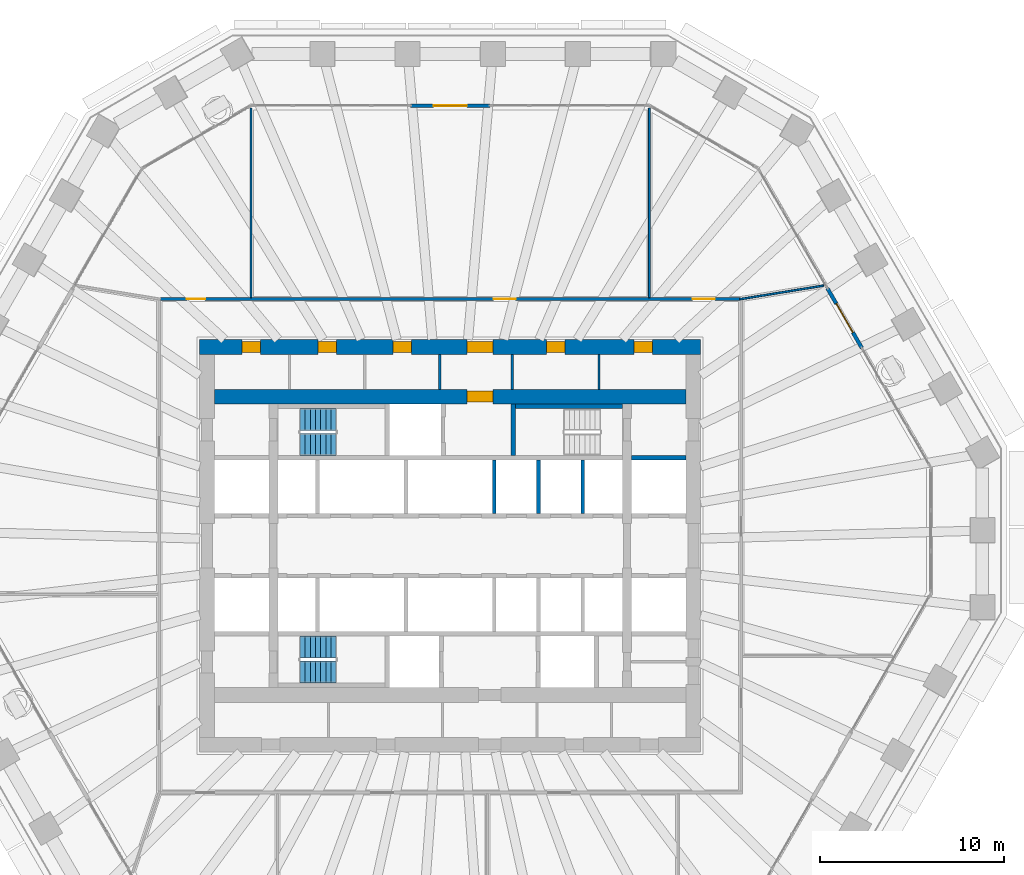
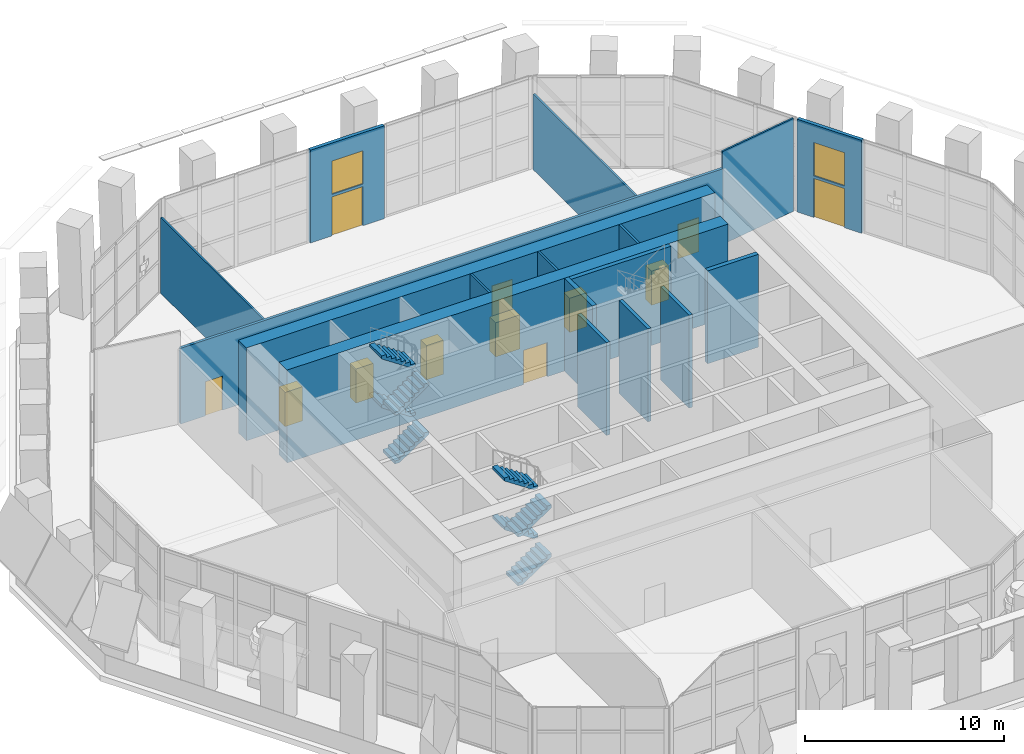
# One storey, part 16 of 22: 17 walls, 12 doors, 8 stair flights, 2 windows, 14 openings, 2 elements without a shape of their own.
"""IFC4 building model written with IfcOpenShell, lengths in metres."""

from ifc_helpers import new_model, si_unit, direction, frame, frame_2d, origin, place, context, subcontext, project, spatial, polyline, rectangle, outline, extrude, material, layer, layer_set, type_object, element, fill, aggregate, save


model = new_model("IFC4")

# Units and contexts
model_context = context("Model", 3, precision=1e-05, world=origin(), true_north=direction((0.0, 1.0)))
body_context = subcontext(model_context, "Body", "Model", "MODEL_VIEW")
ifc_project = project(units=[si_unit("LENGTHUNIT", "METRE"), si_unit("AREAUNIT", "SQUARE_METRE"), si_unit("VOLUMEUNIT", "CUBIC_METRE"), si_unit("PLANEANGLEUNIT", "RADIAN"), si_unit("MASSUNIT", "GRAM", prefix="KILO")], contexts=[model_context])

# Site, building, storey
site_placement = place(None, origin())
site = spatial("IfcSite", under=ifc_project, at=site_placement, CompositionType="ELEMENT")
building_placement = place(site_placement, origin())
building = spatial("IfcBuilding", under=site, at=building_placement, Name="Frailejon Research Tower", CompositionType="ELEMENT")
storey_placement = place(building_placement, frame((0.0, 0.0, 107.199951171875)))
storey = spatial("IfcBuildingStorey", under=building, at=storey_placement, Name="L23", CompositionType="ELEMENT", Elevation=107.199951171875)

# Walls
ifc_material_1 = material(Name="Plasterboard on steel studs", Category="steel")
ifc_layer_1 = layer(ifc_material_1, 0.125)
ifc_layer_set_1 = layer_set([ifc_layer_1], Name="Core partition 125")
wall_type_1 = type_object("IfcWallType", Name="Core partition 125", PredefinedType="PARTITIONING", material=ifc_layer_set_1)
for number, where, z_axis, x_axis, name in (
    (1, (-0.5625, 8.5, 0.0), (0.0, 0.0, 1.0), (0.0, 1.0, 0.0), "Core partition"),
    (2, (3.362548828125, 8.5, 0.0), (0.0, 0.0, 1.0), (0.0, 1.0, 0.0), "Core partition"),
    (3, (8.081298828125, 8.5, 0.0), (0.0, 0.0, 1.0), (0.0, 1.0, 0.0), "Core partition"),
):
    element("IfcWall", number, at=place(storey_placement, frame(where, z_axis=z_axis, x_axis=x_axis)), inside=storey, type_object=wall_type_1, Name=name, PredefinedType="PARTITIONING", context=body_context, shape_type="SweptSolid", body=[
        extrude(rectangle(XDim=1.89990234375, YDim=0.125, at=frame_2d((0.949951171875, 0.0))), origin(), (0.0, 0.0, 1.0), 5.699951171875),
    ])

# Wall, openings, doors
ifc_material_2 = material(Name="Concrete C70/85", Category="concrete")
ifc_layer_2 = layer(ifc_material_2, 0.800048828125)
ifc_layer_set_2 = layer_set([ifc_layer_2], Name="Core shear wall 800 C70/85")
wall_type_2 = type_object("IfcWallType", Name="Core shear wall 800 C70/85", PredefinedType="SHEAR", material=ifc_layer_set_2)
wall_1_placement = place(storey_placement, frame((-13.60009765625, 10.800048828125, 0.0), z_axis=(0.0, 0.0, 1.0), x_axis=(1.0, 0.0, 0.0)))
wall_1 = element("IfcWall", 4, at=wall_1_placement, inside=storey, type_object=wall_type_2, Name="Core shear wall", PredefinedType="SHEAR", context=body_context, shape_type="SweptSolid", body=[
    extrude(rectangle(XDim=27.2001953125, YDim=0.800048828125, at=frame_2d((13.60009765625, 0.0))), origin(), (0.0, 0.0, 1.0), 5.699951171875),
])
opening_1_placement = place(wall_1_placement, frame((2.308349609375, 0.0, 0.0)))
opening_1 = element("IfcOpeningElement", 5, at=opening_1_placement, cuts=wall_1, Name="Opening D4", PredefinedType="OPENING", context=body_context, shape_type="SweptSolid", body=[
    extrude(rectangle(XDim=1.0, YDim=2.10009765625, at=frame_2d((0.5, 1.050048828125))), frame((0.0, 0.409912109375, 0.0), z_axis=(0.0, -1.0, 0.0), x_axis=(1.0, 0.0, 0.0)), (0.0, 0.0, 1.0), 0.820068359375),
])
opening_2_placement = place(wall_1_placement, frame((6.418701171875, 0.0, 0.0)))
opening_2 = element("IfcOpeningElement", 6, at=opening_2_placement, cuts=wall_1, Name="Opening D4", PredefinedType="OPENING", context=body_context, shape_type="SweptSolid", body=[
    extrude(rectangle(XDim=1.0, YDim=2.10009765625, at=frame_2d((0.5, 1.050048828125))), frame((0.0, 0.409912109375, 0.0), z_axis=(0.0, -1.0, 0.0), x_axis=(1.0, 0.0, 0.0)), (0.0, 0.0, 1.0), 0.820068359375),
])
opening_3_placement = place(wall_1_placement, frame((10.497802734375, 0.0, 0.0)))
opening_3 = element("IfcOpeningElement", 7, at=opening_3_placement, cuts=wall_1, Name="Opening D4", PredefinedType="OPENING", context=body_context, shape_type="SweptSolid", body=[
    extrude(rectangle(XDim=1.0, YDim=2.10009765625, at=frame_2d((0.5, 1.050048828125))), frame((0.0, 0.409912109375, 0.0), z_axis=(0.0, -1.0, 0.0), x_axis=(1.0, 0.0, 0.0)), (0.0, 0.0, 1.0), 0.820068359375),
])
opening_4_placement = place(wall_1_placement, frame((18.822021484375, 0.0, 0.0)))
opening_4 = element("IfcOpeningElement", 8, at=opening_4_placement, cuts=wall_1, Name="Opening D4", PredefinedType="OPENING", context=body_context, shape_type="SweptSolid", body=[
    extrude(rectangle(XDim=1.0, YDim=2.10009765625, at=frame_2d((0.5, 1.050048828125))), frame((0.0, 0.409912109375, 0.0), z_axis=(0.0, -1.0, 0.0), x_axis=(1.0, 0.0, 0.0)), (0.0, 0.0, 1.0), 0.820068359375),
])
opening_5_placement = place(wall_1_placement, frame((23.572021484375, 0.0, 0.0)))
opening_5 = element("IfcOpeningElement", 9, at=opening_5_placement, cuts=wall_1, Name="Opening D4", PredefinedType="OPENING", context=body_context, shape_type="SweptSolid", body=[
    extrude(rectangle(XDim=1.0, YDim=2.10009765625, at=frame_2d((0.5, 1.050048828125))), frame((0.0, 0.409912109375, 0.0), z_axis=(0.0, -1.0, 0.0), x_axis=(1.0, 0.0, 0.0)), (0.0, 0.0, 1.0), 0.820068359375),
])
opening_6_placement = place(wall_1_placement, frame((14.52490234375, 0.0, 0.0)))
opening_6 = element("IfcOpeningElement", 10, at=opening_6_placement, cuts=wall_1, Name="Opening D9", PredefinedType="OPENING", context=body_context, shape_type="SweptSolid", body=[
    extrude(rectangle(XDim=1.39990234375, YDim=2.10009765625, at=frame_2d((0.699951171875, 1.050048828125))), frame((0.0, 0.409912109375, 0.0), z_axis=(0.0, -1.0, 0.0), x_axis=(1.0, 0.0, 0.0)), (0.0, 0.0, 1.0), 0.820068359375),
])
ifc_material_3 = material(Name="Steel", Category="steel")
door_type_1 = type_object("IfcDoorType", Name="Goods lobby door", OperationType="DOUBLE_DOOR_SINGLE_SWING", PredefinedType="DOOR", material=ifc_material_3)
door_1_placement = place(opening_6_placement, origin())
door_1 = element("IfcDoor", 11, at=door_1_placement, inside=storey, type_object=door_type_1, Name="Passage door", OperationType="DOUBLE_DOOR_SINGLE_SWING", OverallHeight=2.10009765625, OverallWidth=1.39990234375, PredefinedType="DOOR", context=body_context, shape_type="SweptSolid", body=[
    extrude(rectangle(XDim=1.39990234375, YDim=2.10009765625, at=frame_2d((0.699951171875, 1.050048828125))), frame((0.0, 0.300048828125, 0.0), z_axis=(0.0, -1.0, 0.0), x_axis=(1.0, 0.0, 0.0)), (0.0, 0.0, 1.0), 0.60009765625),
])
fill(opening_6, door_1)
ifc_material_4 = material(Name="Steel", Category="steel")
door_type_2 = type_object("IfcDoorType", Name="Service door", OperationType="SINGLE_SWING_LEFT", PredefinedType="DOOR", material=ifc_material_4)
door_2_placement = place(opening_1_placement, origin())
door_2 = element("IfcDoor", 12, at=door_2_placement, inside=storey, type_object=door_type_2, Name="Room door", OperationType="SINGLE_SWING_LEFT", OverallHeight=2.10009765625, OverallWidth=1.0, PredefinedType="DOOR", context=body_context, shape_type="SweptSolid", body=[
    extrude(rectangle(XDim=1.0, YDim=2.10009765625, at=frame_2d((0.5, 1.050048828125))), frame((0.0, 0.300048828125, 0.0), z_axis=(0.0, -1.0, 0.0), x_axis=(1.0, 0.0, 0.0)), (0.0, 0.0, 1.0), 0.60009765625),
])
fill(opening_1, door_2)
door_3_placement = place(opening_2_placement, origin())
door_3 = element("IfcDoor", 13, at=door_3_placement, inside=storey, type_object=door_type_2, Name="Room door", OperationType="SINGLE_SWING_RIGHT", OverallHeight=2.10009765625, OverallWidth=1.0, PredefinedType="DOOR", context=body_context, shape_type="SweptSolid", body=[
    extrude(rectangle(XDim=1.0, YDim=2.10009765625, at=frame_2d((0.5, 1.050048828125))), frame((0.0, 0.300048828125, 0.0), z_axis=(0.0, -1.0, 0.0), x_axis=(1.0, 0.0, 0.0)), (0.0, 0.0, 1.0), 0.60009765625),
])
fill(opening_2, door_3)
door_4_placement = place(opening_3_placement, origin())
door_4 = element("IfcDoor", 14, at=door_4_placement, inside=storey, type_object=door_type_2, Name="Room door", OperationType="SINGLE_SWING_LEFT", OverallHeight=2.10009765625, OverallWidth=1.0, PredefinedType="DOOR", context=body_context, shape_type="SweptSolid", body=[
    extrude(rectangle(XDim=1.0, YDim=2.10009765625, at=frame_2d((0.5, 1.050048828125))), frame((0.0, 0.300048828125, 0.0), z_axis=(0.0, -1.0, 0.0), x_axis=(1.0, 0.0, 0.0)), (0.0, 0.0, 1.0), 0.60009765625),
])
fill(opening_3, door_4)
door_5_placement = place(opening_4_placement, origin())
door_5 = element("IfcDoor", 15, at=door_5_placement, inside=storey, type_object=door_type_2, Name="Room door", OperationType="SINGLE_SWING_RIGHT", OverallHeight=2.10009765625, OverallWidth=1.0, PredefinedType="DOOR", context=body_context, shape_type="SweptSolid", body=[
    extrude(rectangle(XDim=1.0, YDim=2.10009765625, at=frame_2d((0.5, 1.050048828125))), frame((0.0, 0.300048828125, 0.0), z_axis=(0.0, -1.0, 0.0), x_axis=(1.0, 0.0, 0.0)), (0.0, 0.0, 1.0), 0.60009765625),
])
fill(opening_4, door_5)
door_6_placement = place(opening_5_placement, origin())
door_6 = element("IfcDoor", 16, at=door_6_placement, inside=storey, type_object=door_type_2, Name="Room door", OperationType="SINGLE_SWING_LEFT", OverallHeight=2.10009765625, OverallWidth=1.0, PredefinedType="DOOR", context=body_context, shape_type="SweptSolid", body=[
    extrude(rectangle(XDim=1.0, YDim=2.10009765625, at=frame_2d((0.5, 1.050048828125))), frame((0.0, 0.300048828125, 0.0), z_axis=(0.0, -1.0, 0.0), x_axis=(1.0, 0.0, 0.0)), (0.0, 0.0, 1.0), 0.60009765625),
])
fill(opening_5, door_6)

# Wall, opening, door
wall_2_placement = place(storey_placement, frame((-12.800048828125, 8.10009765625, 0.0), z_axis=(0.0, 0.0, 1.0), x_axis=(1.0, 0.0, 0.0)))
wall_2 = element("IfcWall", 17, at=wall_2_placement, inside=storey, type_object=wall_type_2, Name="Core shear wall", PredefinedType="SHEAR", context=body_context, shape_type="SweptSolid", body=[
    extrude(rectangle(XDim=25.60009765625, YDim=0.800048828125, at=frame_2d((12.800048828125, 0.0))), origin(), (0.0, 0.0, 1.0), 5.699951171875),
])
opening_7_placement = place(wall_2_placement, frame((13.72509765625, 0.0, 0.0)))
opening_7 = element("IfcOpeningElement", 18, at=opening_7_placement, cuts=wall_2, Name="Opening D9", PredefinedType="OPENING", context=body_context, shape_type="SweptSolid", body=[
    extrude(rectangle(XDim=1.39990234375, YDim=2.10009765625, at=frame_2d((0.699951171875, 1.050048828125))), frame((0.0, 0.409912109375, 0.0), z_axis=(0.0, -1.0, 0.0), x_axis=(1.0, 0.0, 0.0)), (0.0, 0.0, 1.0), 0.820068359375),
])
door_7_placement = place(opening_7_placement, origin())
door_7 = element("IfcDoor", 19, at=door_7_placement, inside=storey, type_object=door_type_1, Name="Goods lobby door", OperationType="DOUBLE_DOOR_SINGLE_SWING", OverallHeight=2.10009765625, OverallWidth=1.39990234375, PredefinedType="DOOR", context=body_context, shape_type="SweptSolid", body=[
    extrude(rectangle(XDim=1.39990234375, YDim=2.10009765625, at=frame_2d((0.699951171875, 1.050048828125))), frame((0.0, 0.300048828125, 0.0), z_axis=(0.0, -1.0, 0.0), x_axis=(1.0, 0.0, 0.0)), (0.0, 0.0, 1.0), 0.60009765625),
])
fill(opening_7, door_7)

# Wall, openings, doors
ifc_material_5 = material(Name="Gypsum board and masonry partition", Category="masonry")
ifc_layer_3 = layer(ifc_material_5, 0.14990234375)
ifc_layer_set_3 = layer_set([ifc_layer_3], Name="Corridor wall EI 60, gypsum on steel studs 150")
wall_type_3 = type_object("IfcWallType", Name="Corridor wall EI 60, gypsum on steel studs 150", PredefinedType="PARTITIONING", material=ifc_layer_set_3)
wall_3_placement = place(storey_placement, frame((-15.72509765625, 13.39990234375, 0.0), z_axis=(0.0, 0.0, 1.0), x_axis=(1.0, 0.0, 0.0)))
wall_3 = element("IfcWall", 20, at=wall_3_placement, inside=storey, type_object=wall_type_3, Name="T:IW:L23:002", PredefinedType="PARTITIONING", context=body_context, shape_type="SweptSolid", body=[
    extrude(rectangle(XDim=31.47509765625, YDim=0.14990234375, at=frame_2d((15.737548828125, 0.0))), origin(), (0.0, 0.0, 1.0), 4.650146484375),
])
opening_8_placement = place(wall_3_placement, frame((28.89501953125, 0.0, 0.0)))
opening_8 = element("IfcOpeningElement", 21, at=opening_8_placement, cuts=wall_3, Name="Opening D1100", PredefinedType="OPENING", context=body_context, shape_type="SweptSolid", body=[
    extrude(rectangle(XDim=1.199951171875, YDim=2.10009765625, at=frame_2d((0.60009765625, 1.050048828125))), frame((0.0, 0.0849609375, 0.0), z_axis=(0.0, -1.0, 0.0), x_axis=(1.0, 0.0, 0.0)), (0.0, 0.0, 1.0), 0.169921875),
])
opening_9_placement = place(wall_3_placement, frame((18.084228515625, 0.0, 0.0)))
opening_9 = element("IfcOpeningElement", 22, at=opening_9_placement, cuts=wall_3, Name="Opening D1101", PredefinedType="OPENING", context=body_context, shape_type="SweptSolid", body=[
    extrude(rectangle(XDim=1.199951171875, YDim=2.10009765625, at=frame_2d((0.60009765625, 1.050048828125))), frame((0.0, 0.0849609375, 0.0), z_axis=(0.0, -1.0, 0.0), x_axis=(1.0, 0.0, 0.0)), (0.0, 0.0, 1.0), 0.169921875),
])
opening_10_placement = place(wall_3_placement, frame((1.425048828125, 0.0, 0.0)))
opening_10 = element("IfcOpeningElement", 23, at=opening_10_placement, cuts=wall_3, Name="Opening D1102", PredefinedType="OPENING", context=body_context, shape_type="SweptSolid", body=[
    extrude(rectangle(XDim=1.0, YDim=2.10009765625, at=frame_2d((0.5, 1.050048828125))), frame((0.0, 0.0849609375, 0.0), z_axis=(0.0, -1.0, 0.0), x_axis=(1.0, 0.0, 0.0)), (0.0, 0.0, 1.0), 0.169921875),
])
ifc_material_6 = material(Name="Timber door leaf", Category="wood")
door_type_3 = type_object("IfcDoorType", Name="Door single leaf, timber, steel frame 1000", OperationType="NOTDEFINED", PredefinedType="DOOR", material=ifc_material_6)
door_8_placement = place(opening_10_placement, origin())
door_8 = element("IfcDoor", 24, at=door_8_placement, inside=storey, type_object=door_type_3, Name="D1102", OperationType="SINGLE_SWING_RIGHT", OverallHeight=2.10009765625, OverallWidth=1.0, PredefinedType="DOOR", context=body_context, shape_type="SweptSolid", body=[
    extrude(rectangle(XDim=1.0, YDim=2.10009765625, at=frame_2d((0.5, 1.050048828125))), frame((0.0, 0.02490234375, 0.0), z_axis=(0.0, -1.0, 0.0), x_axis=(1.0, 0.0, 0.0)), (0.0, 0.0, 1.0), 0.050048828125),
])
fill(opening_10, door_8)
ifc_material_7 = material(Name="Timber door leaf", Category="wood")
door_type_4 = type_object("IfcDoorType", Name="Door single leaf, timber, steel frame 1200", OperationType="NOTDEFINED", PredefinedType="DOOR", material=ifc_material_7)
door_9_placement = place(opening_8_placement, origin())
door_9 = element("IfcDoor", 25, at=door_9_placement, inside=storey, type_object=door_type_4, Name="D1100", OperationType="DOUBLE_DOOR_SINGLE_SWING", OverallHeight=2.10009765625, OverallWidth=1.199951171875, PredefinedType="DOOR", context=body_context, shape_type="SweptSolid", body=[
    extrude(rectangle(XDim=1.199951171875, YDim=2.10009765625, at=frame_2d((0.60009765625, 1.050048828125))), frame((0.0, 0.02490234375, 0.0), z_axis=(0.0, -1.0, 0.0), x_axis=(1.0, 0.0, 0.0)), (0.0, 0.0, 1.0), 0.050048828125),
])
fill(opening_8, door_9)
door_10_placement = place(opening_9_placement, origin())
door_10 = element("IfcDoor", 26, at=door_10_placement, inside=storey, type_object=door_type_4, Name="D1101", OperationType="DOUBLE_DOOR_SINGLE_SWING", OverallHeight=2.10009765625, OverallWidth=1.199951171875, PredefinedType="DOOR", context=body_context, shape_type="SweptSolid", body=[
    extrude(rectangle(XDim=1.199951171875, YDim=2.10009765625, at=frame_2d((0.60009765625, 1.050048828125))), frame((0.0, 0.02490234375, 0.0), z_axis=(0.0, -1.0, 0.0), x_axis=(1.0, 0.0, 0.0)), (0.0, 0.0, 1.0), 0.050048828125),
])
fill(opening_9, door_10)

# Walls
ifc_material_8 = material(Name="Gypsum board and masonry partition", Category="masonry")
ifc_layer_4 = layer(ifc_material_8, 0.10009765625)
ifc_layer_set_4 = layer_set([ifc_layer_4], Name="Partition, gypsum on steel studs 100")
wall_type_4 = type_object("IfcWallType", Name="Partition, gypsum on steel studs 100", PredefinedType="PARTITIONING", material=ifc_layer_set_4)
wall_4_placement = place(storey_placement, frame((15.72607421875, 13.387939453125, 0.0), z_axis=(0.0, 0.0, 1.0), x_axis=(0.986997514781, 0.160735515107, 0.0)))
element("IfcWall", 27, at=wall_4_placement, inside=storey, type_object=wall_type_4, Name="T:IW:L23:005", PredefinedType="PARTITIONING", context=body_context, shape_type="SweptSolid", body=[
    extrude(rectangle(XDim=4.615966796875, YDim=0.10009765625, at=frame_2d((2.30810546875, 0.0))), origin(), (0.0, 0.0, 1.0), 5.699951171875),
])
for number, where, z_axis, x_axis, name in (
    (28, (10.814453125, 13.47509765625, 0.0), (0.0, 0.0, 1.0), (0.0, 1.0, 0.0), "T:IW:L23:007"),
    (29, (-10.814453125, 13.47509765625, 0.0), (0.0, 0.0, 1.0), (0.0, 1.0, 0.0), "T:IW:L23:008"),
):
    element("IfcWall", number, at=place(storey_placement, frame(where, z_axis=z_axis, x_axis=x_axis)), inside=storey, type_object=wall_type_4, Name=name, PredefinedType="PARTITIONING", context=body_context, shape_type="SweptSolid", body=[
        extrude(rectangle(XDim=10.2939453125, YDim=0.10009765625, at=frame_2d((5.14697265625, 0.0))), origin(), (0.0, 0.0, 1.0), 4.650146484375),
    ])
ifc_material_9 = material(Name="Concrete C70/85", Category="concrete")
ifc_layer_5 = layer(ifc_material_9, 0.199951171875)
ifc_layer_set_5 = layer_set([ifc_layer_5], Name="Shaft wall 200 C70/85")
wall_type_5 = type_object("IfcWallType", Name="Shaft wall 200 C70/85", PredefinedType="SOLIDWALL", material=ifc_layer_set_5)
for number, where, z_axis, x_axis, name in (
    (30, (2.39990234375, 1.75, 0.0), (0.0, 0.0, 1.0), (0.0, 1.0, 0.0), "Shaft wall"),
    (31, (4.800048828125, 1.75, 0.0), (0.0, 0.0, 1.0), (0.0, 1.0, 0.0), "Shaft wall"),
    (32, (7.199951171875, 1.75, 0.0), (0.0, 0.0, 1.0), (0.0, 1.0, 0.0), "Shaft wall"),
):
    element("IfcWall", number, at=place(storey_placement, frame(where, z_axis=z_axis, x_axis=x_axis)), inside=storey, type_object=wall_type_5, Name=name, PredefinedType="SOLIDWALL", context=body_context, shape_type="SweptSolid", body=[
        extrude(rectangle(XDim=2.89990234375, YDim=0.199951171875, at=frame_2d((1.449951171875, 0.0))), origin(), (0.0, 0.0, 1.0), 5.699951171875),
    ])
ifc_material_10 = material(Name="Concrete C70/85", Category="concrete")
ifc_layer_6 = layer(ifc_material_10, 0.25)
ifc_layer_set_6 = layer_set([ifc_layer_6], Name="Shaft wall 250 C70/85")
wall_type_6 = type_object("IfcWallType", Name="Shaft wall 250 C70/85", PredefinedType="SOLIDWALL", material=ifc_layer_set_6)
wall_5_placement = place(storey_placement, frame((9.85009765625, 4.77490234375, 0.0), z_axis=(0.0, 0.0, 1.0), x_axis=(1.0, 0.0, 0.0)))
element("IfcWall", 33, at=wall_5_placement, inside=storey, type_object=wall_type_6, Name="Shaft wall", PredefinedType="SOLIDWALL", context=body_context, shape_type="SweptSolid", body=[
    extrude(rectangle(XDim=2.949951171875, YDim=0.25, at=frame_2d((1.47509765625, 0.0))), origin(), (0.0, 0.0, 1.0), 5.699951171875),
])
wall_6_placement = place(storey_placement, frame((3.550048828125, 7.574951171875, 0.0), z_axis=(0.0, 0.0, 1.0), x_axis=(1.0, 0.0, 0.0)))
element("IfcWall", 34, at=wall_6_placement, inside=storey, type_object=wall_type_6, Name="Shaft wall", PredefinedType="SOLIDWALL", context=body_context, shape_type="SweptSolid", body=[
    extrude(rectangle(XDim=5.800048828125, YDim=0.25, at=frame_2d((2.89990234375, 0.0))), origin(), (0.0, 0.0, 1.0), 5.699951171875),
])
wall_7_placement = place(storey_placement, frame((3.425048828125, 4.89990234375, 0.0), z_axis=(0.0, 0.0, 1.0), x_axis=(0.0, 1.0, 0.0)))
element("IfcWall", 35, at=wall_7_placement, inside=storey, type_object=wall_type_6, Name="Shaft wall", PredefinedType="SOLIDWALL", context=body_context, shape_type="SweptSolid", body=[
    extrude(rectangle(XDim=2.800048828125, YDim=0.25, at=frame_2d((1.39990234375, 0.0))), origin(), (0.0, 0.0, 1.0), 5.699951171875),
])

# Wall, openings, door, window
ifc_material_11 = material(Name="Concrete C40/50 precast window wall panel", Category="concrete")
ifc_layer_7 = layer(ifc_material_11, 0.199951171875)
ifc_layer_set_7 = layer_set([ifc_layer_7], Name="Window wall 200")
wall_type_7 = type_object("IfcWallType", Name="Window wall 200", PredefinedType="SOLIDWALL", material=ifc_layer_set_7)
wall_8_placement = place(storey_placement, frame((22.3515625, 10.745361328125, 0.0), z_axis=(0.0, 0.0, 1.0), x_axis=(-0.500014392251, 0.866017094255, 0.0)))
wall_8 = element("IfcWall", 36, at=wall_8_placement, inside=storey, type_object=wall_type_7, Name="Door pier L23", PredefinedType="SOLIDWALL", context=body_context, shape_type="SweptSolid", body=[
    extrude(rectangle(XDim=3.740234375, YDim=0.199951171875, at=frame_2d((1.8701171875, 0.0))), origin(), (0.0, 0.0, 1.0), 5.699951171875),
])
opening_11_placement = place(wall_8_placement, frame((0.97021484375, 0.0, 0.0)))
opening_11 = element("IfcOpeningElement", 37, at=opening_11_placement, cuts=wall_8, Name="Opening LG23-1", PredefinedType="OPENING", context=body_context, shape_type="SweptSolid", body=[
    extrude(rectangle(XDim=1.800048828125, YDim=2.39990234375, at=frame_2d((0.89990234375, 1.199951171875))), frame((0.0, 0.10986328125, 0.0), z_axis=(0.0, -1.0, 0.0), x_axis=(1.0, 0.0, 0.0)), (0.0, 0.0, 1.0), 0.219970703125),
])
opening_12_placement = place(wall_8_placement, frame((0.97021484375, 0.0, 2.550048828125)))
opening_12 = element("IfcOpeningElement", 38, at=opening_12_placement, cuts=wall_8, Name="Opening W15", PredefinedType="OPENING", context=body_context, shape_type="SweptSolid", body=[
    extrude(rectangle(XDim=1.800048828125, YDim=2.050048828125, at=frame_2d((0.89990234375, 1.02490234375))), frame((0.0, 0.10986328125, 0.0), z_axis=(0.0, -1.0, 0.0), x_axis=(1.0, 0.0, 0.0)), (0.0, 0.0, 1.0), 0.219970703125),
])
ifc_material_12 = material(Name="Aluminium framed glazed door leaf", Category="aluminium")
door_type_5 = type_object("IfcDoorType", Name="Loggia door 1800x2400", OperationType="DOUBLE_DOOR_SINGLE_SWING", PredefinedType="DOOR", material=ifc_material_12)
door_11_placement = place(opening_11_placement, origin())
door_11 = element("IfcDoor", 39, at=door_11_placement, inside=storey, type_object=door_type_5, Name="Door LG23-1", OperationType="DOUBLE_DOOR_SINGLE_SWING", OverallHeight=2.39990234375, OverallWidth=1.800048828125, PredefinedType="DOOR", context=body_context, shape_type="SweptSolid", body=[
    extrude(rectangle(XDim=1.800048828125, YDim=2.39990234375, at=frame_2d((0.89990234375, 1.199951171875))), frame((0.0, 0.02490234375, 0.0), z_axis=(0.0, -1.0, 0.0), x_axis=(1.0, 0.0, 0.0)), (0.0, 0.0, 1.0), 0.050048828125),
])
fill(opening_11, door_11)
ifc_material_13 = material(Name="Aluminium framed double glazing", Category="aluminium")
window_type = type_object("IfcWindowType", Name="Window 1800x2050", PartitioningType="SINGLE_PANEL", PredefinedType="WINDOW", material=ifc_material_13)
window_1_placement = place(opening_12_placement, origin())
window_1 = element("IfcWindow", 40, at=window_1_placement, inside=storey, type_object=window_type, Name="Window L23", OverallHeight=2.050048828125, OverallWidth=1.800048828125, PartitioningType="SINGLE_PANEL", PredefinedType="WINDOW", context=body_context, shape_type="SweptSolid", body=[
    extrude(rectangle(XDim=1.800048828125, YDim=2.050048828125, at=frame_2d((0.89990234375, 1.02490234375))), frame((0.0, 0.030029296875, 0.0), z_axis=(0.0, -1.0, 0.0), x_axis=(1.0, 0.0, 0.0)), (0.0, 0.0, 1.0), 0.06005859375),
])
fill(opening_12, window_1)

wall_9_placement = place(storey_placement, frame((2.157470703125, 23.89990234375, 0.0), z_axis=(0.0, 0.0, 1.0), x_axis=(-1.0, 0.0, 0.0)))
wall_9 = element("IfcWall", 41, at=wall_9_placement, inside=storey, type_object=wall_type_7, Name="Door pier L23", PredefinedType="SOLIDWALL", context=body_context, shape_type="SweptSolid", body=[
    extrude(rectangle(XDim=4.31494140625, YDim=0.199951171875, at=frame_2d((2.157470703125, 0.0))), origin(), (0.0, 0.0, 1.0), 5.699951171875),
])
opening_13_placement = place(wall_9_placement, frame((1.257568359375, 0.0, 0.0)))
opening_13 = element("IfcOpeningElement", 42, at=opening_13_placement, cuts=wall_9, Name="Opening LG23-2", PredefinedType="OPENING", context=body_context, shape_type="SweptSolid", body=[
    extrude(rectangle(XDim=1.800048828125, YDim=2.39990234375, at=frame_2d((0.89990234375, 1.199951171875))), frame((0.0, 0.10986328125, 0.0), z_axis=(0.0, -1.0, 0.0), x_axis=(1.0, 0.0, 0.0)), (0.0, 0.0, 1.0), 0.219970703125),
])
opening_14_placement = place(wall_9_placement, frame((1.257568359375, 0.0, 2.550048828125)))
opening_14 = element("IfcOpeningElement", 43, at=opening_14_placement, cuts=wall_9, Name="Opening W15", PredefinedType="OPENING", context=body_context, shape_type="SweptSolid", body=[
    extrude(rectangle(XDim=1.800048828125, YDim=2.050048828125, at=frame_2d((0.89990234375, 1.02490234375))), frame((0.0, 0.10986328125, 0.0), z_axis=(0.0, -1.0, 0.0), x_axis=(1.0, 0.0, 0.0)), (0.0, 0.0, 1.0), 0.219970703125),
])
door_12_placement = place(opening_13_placement, origin())
door_12 = element("IfcDoor", 44, at=door_12_placement, inside=storey, type_object=door_type_5, Name="Door LG23-2", OperationType="DOUBLE_DOOR_SINGLE_SWING", OverallHeight=2.39990234375, OverallWidth=1.800048828125, PredefinedType="DOOR", context=body_context, shape_type="SweptSolid", body=[
    extrude(rectangle(XDim=1.800048828125, YDim=2.39990234375, at=frame_2d((0.89990234375, 1.199951171875))), frame((0.0, 0.02490234375, 0.0), z_axis=(0.0, -1.0, 0.0), x_axis=(1.0, 0.0, 0.0)), (0.0, 0.0, 1.0), 0.050048828125),
])
fill(opening_13, door_12)
window_2_placement = place(opening_14_placement, origin())
window_2 = element("IfcWindow", 45, at=window_2_placement, inside=storey, type_object=window_type, Name="Window L23", OverallHeight=2.050048828125, OverallWidth=1.800048828125, PartitioningType="SINGLE_PANEL", PredefinedType="WINDOW", context=body_context, shape_type="SweptSolid", body=[
    extrude(rectangle(XDim=1.800048828125, YDim=2.050048828125, at=frame_2d((0.89990234375, 1.02490234375))), frame((0.0, 0.030029296875, 0.0), z_axis=(0.0, -1.0, 0.0), x_axis=(1.0, 0.0, 0.0)), (0.0, 0.0, 1.0), 0.06005859375),
])
fill(opening_14, window_2)

# Stair, stair flights
ifc_material_14 = material(Name="Concrete C50/60", Category="concrete")
stair_type = type_object("IfcStairType", Name="Exit stair 32 risers", PredefinedType="HALF_TURN_STAIR", material=ifc_material_14)
stair_1_placement = place(storey_placement, origin())
stair_1 = element("IfcStair", 46, at=stair_1_placement, inside=storey, type_object=stair_type, Name="L23 Exit stair ST1", PredefinedType="HALF_TURN_STAIR")
ifc_material_15 = material(Name="Concrete C50/60", Category="concrete")
ifc_layer_8 = layer(ifc_material_15, 0.14990234375)
ifc_layer_set_8 = layer_set([ifc_layer_8], Name="Stair flight 8 risers")
stair_flight_type = type_object("IfcStairFlightType", Name="Stair flight 8 risers", PredefinedType="STRAIGHT", material=ifc_layer_set_8)
stair_flight_1_placement = place(storey_placement, frame((-8.14990234375, 5.5, 0.0), z_axis=(0.0, 0.0, 1.0), x_axis=(1.0, 0.0, 0.0)))
stair_flight_1 = element("IfcStairFlight", 47, at=stair_flight_1_placement, type_object=stair_flight_type, Name="ST1 flight 1", NumberOfRisers=8, NumberOfTreads=7, PredefinedType="STRAIGHT", RiserHeight=0.1875, TreadLength=0.28, context=body_context, shape_type="SweptSolid", body=[
    extrude(outline(polyline([(0.0, 0.0), (0.0, 0.1875), (0.280029296875, 0.1875), (0.280029296875, 0.375), (0.56005859375, 0.375), (0.56005859375, 0.5625), (0.840087890625, 0.5625), (0.840087890625, 0.75), (1.1201171875, 0.75), (1.1201171875, 0.9375), (1.39990234375, 0.9375), (1.39990234375, 1.125), (1.679931640625, 1.125), (1.679931640625, 1.3125), (1.9599609375, 1.3125), (1.9599609375, 1.5), (1.9599609375, 1.132080078125), (0.26953125, 0.0), (0.0, 0.0)])), frame((0.0, 0.60009765625, 0.0), z_axis=(0.0, -1.0, 0.0), x_axis=(1.0, 0.0, 0.0)), (0.0, 0.0, 1.0), 1.199951171875),
])
stair_flight_2_placement = place(storey_placement, frame((-6.18994140625, 6.85009765625, 1.5), z_axis=(0.0, 0.0, 1.0), x_axis=(-1.0, 0.0, 0.0)))
stair_flight_2 = element("IfcStairFlight", 48, at=stair_flight_2_placement, type_object=stair_flight_type, Name="ST1 flight 2", NumberOfRisers=8, NumberOfTreads=7, PredefinedType="STRAIGHT", RiserHeight=0.1875, TreadLength=0.28, context=body_context, shape_type="SweptSolid", body=[
    extrude(outline(polyline([(0.0, 0.0), (0.0, 0.1875), (0.280029296875, 0.1875), (0.280029296875, 0.375), (0.56005859375, 0.375), (0.56005859375, 0.5625), (0.840087890625, 0.5625), (0.840087890625, 0.75), (1.1201171875, 0.75), (1.1201171875, 0.9375), (1.39990234375, 0.9375), (1.39990234375, 1.125), (1.679931640625, 1.125), (1.679931640625, 1.3125), (1.9599609375, 1.3125), (1.9599609375, 1.5), (1.9599609375, 1.132080078125), (0.26953125, 0.0), (0.0, 0.0)])), frame((0.0, 0.60009765625, 0.0), z_axis=(0.0, -1.0, 0.0), x_axis=(1.0, 0.0, 0.0)), (0.0, 0.0, 1.0), 1.199951171875),
])
stair_flight_3_placement = place(storey_placement, frame((-8.14990234375, 5.5, 3.0), z_axis=(0.0, 0.0, 1.0), x_axis=(1.0, 0.0, 0.0)))
stair_flight_3 = element("IfcStairFlight", 49, at=stair_flight_3_placement, type_object=stair_flight_type, Name="ST1 flight 3", NumberOfRisers=8, NumberOfTreads=7, PredefinedType="STRAIGHT", RiserHeight=0.1875, TreadLength=0.28, context=body_context, shape_type="SweptSolid", body=[
    extrude(outline(polyline([(0.0, 0.0), (0.0, 0.1875), (0.280029296875, 0.1875), (0.280029296875, 0.375), (0.56005859375, 0.375), (0.56005859375, 0.5625), (0.840087890625, 0.5625), (0.840087890625, 0.75), (1.1201171875, 0.75), (1.1201171875, 0.9375), (1.39990234375, 0.9375), (1.39990234375, 1.125), (1.679931640625, 1.125), (1.679931640625, 1.3125), (1.9599609375, 1.3125), (1.9599609375, 1.5), (1.9599609375, 1.132080078125), (0.26953125, 0.0), (0.0, 0.0)])), frame((0.0, 0.60009765625, 0.0), z_axis=(0.0, -1.0, 0.0), x_axis=(1.0, 0.0, 0.0)), (0.0, 0.0, 1.0), 1.199951171875),
])
stair_flight_4_placement = place(storey_placement, frame((-6.18994140625, 6.85009765625, 4.5), z_axis=(0.0, 0.0, 1.0), x_axis=(-1.0, 0.0, 0.0)))
stair_flight_4 = element("IfcStairFlight", 50, at=stair_flight_4_placement, type_object=stair_flight_type, Name="ST1 flight 4", NumberOfRisers=8, NumberOfTreads=7, PredefinedType="STRAIGHT", RiserHeight=0.1875, TreadLength=0.28, context=body_context, shape_type="SweptSolid", body=[
    extrude(outline(polyline([(0.0, 0.0), (0.0, 0.1875), (0.280029296875, 0.1875), (0.280029296875, 0.375), (0.56005859375, 0.375), (0.56005859375, 0.5625), (0.840087890625, 0.5625), (0.840087890625, 0.75), (1.1201171875, 0.75), (1.1201171875, 0.9375), (1.39990234375, 0.9375), (1.39990234375, 1.125), (1.679931640625, 1.125), (1.679931640625, 1.3125), (1.9599609375, 1.3125), (1.9599609375, 1.5), (1.9599609375, 1.132080078125), (0.26953125, 0.0), (0.0, 0.0)])), frame((0.0, 0.60009765625, 0.0), z_axis=(0.0, -1.0, 0.0), x_axis=(1.0, 0.0, 0.0)), (0.0, 0.0, 1.0), 1.199951171875),
])
aggregate(stair_1, [stair_flight_1, stair_flight_2, stair_flight_3, stair_flight_4])

stair_2_placement = place(storey_placement, origin())
stair_2 = element("IfcStair", 51, at=stair_2_placement, inside=storey, type_object=stair_type, Name="L23 Exit stair ST2", PredefinedType="HALF_TURN_STAIR")
stair_flight_5_placement = place(storey_placement, frame((-8.14990234375, -6.85009765625, 0.0), z_axis=(0.0, 0.0, 1.0), x_axis=(1.0, 0.0, 0.0)))
stair_flight_5 = element("IfcStairFlight", 52, at=stair_flight_5_placement, type_object=stair_flight_type, Name="ST2 flight 1", NumberOfRisers=8, NumberOfTreads=7, PredefinedType="STRAIGHT", RiserHeight=0.1875, TreadLength=0.28, context=body_context, shape_type="SweptSolid", body=[
    extrude(outline(polyline([(0.0, 0.0), (0.0, 0.1875), (0.280029296875, 0.1875), (0.280029296875, 0.375), (0.56005859375, 0.375), (0.56005859375, 0.5625), (0.840087890625, 0.5625), (0.840087890625, 0.75), (1.1201171875, 0.75), (1.1201171875, 0.9375), (1.39990234375, 0.9375), (1.39990234375, 1.125), (1.679931640625, 1.125), (1.679931640625, 1.3125), (1.9599609375, 1.3125), (1.9599609375, 1.5), (1.9599609375, 1.132080078125), (0.26953125, 0.0), (0.0, 0.0)])), frame((0.0, 0.60009765625, 0.0), z_axis=(0.0, -1.0, 0.0), x_axis=(1.0, 0.0, 0.0)), (0.0, 0.0, 1.0), 1.199951171875),
])
stair_flight_6_placement = place(storey_placement, frame((-6.18994140625, -5.5, 1.5), z_axis=(0.0, 0.0, 1.0), x_axis=(-1.0, 0.0, 0.0)))
stair_flight_6 = element("IfcStairFlight", 53, at=stair_flight_6_placement, type_object=stair_flight_type, Name="ST2 flight 2", NumberOfRisers=8, NumberOfTreads=7, PredefinedType="STRAIGHT", RiserHeight=0.1875, TreadLength=0.28, context=body_context, shape_type="SweptSolid", body=[
    extrude(outline(polyline([(0.0, 0.0), (0.0, 0.1875), (0.280029296875, 0.1875), (0.280029296875, 0.375), (0.56005859375, 0.375), (0.56005859375, 0.5625), (0.840087890625, 0.5625), (0.840087890625, 0.75), (1.1201171875, 0.75), (1.1201171875, 0.9375), (1.39990234375, 0.9375), (1.39990234375, 1.125), (1.679931640625, 1.125), (1.679931640625, 1.3125), (1.9599609375, 1.3125), (1.9599609375, 1.5), (1.9599609375, 1.132080078125), (0.26953125, 0.0), (0.0, 0.0)])), frame((0.0, 0.60009765625, 0.0), z_axis=(0.0, -1.0, 0.0), x_axis=(1.0, 0.0, 0.0)), (0.0, 0.0, 1.0), 1.199951171875),
])
stair_flight_7_placement = place(storey_placement, frame((-8.14990234375, -6.85009765625, 3.0), z_axis=(0.0, 0.0, 1.0), x_axis=(1.0, 0.0, 0.0)))
stair_flight_7 = element("IfcStairFlight", 54, at=stair_flight_7_placement, type_object=stair_flight_type, Name="ST2 flight 3", NumberOfRisers=8, NumberOfTreads=7, PredefinedType="STRAIGHT", RiserHeight=0.1875, TreadLength=0.28, context=body_context, shape_type="SweptSolid", body=[
    extrude(outline(polyline([(0.0, 0.0), (0.0, 0.1875), (0.280029296875, 0.1875), (0.280029296875, 0.375), (0.56005859375, 0.375), (0.56005859375, 0.5625), (0.840087890625, 0.5625), (0.840087890625, 0.75), (1.1201171875, 0.75), (1.1201171875, 0.9375), (1.39990234375, 0.9375), (1.39990234375, 1.125), (1.679931640625, 1.125), (1.679931640625, 1.3125), (1.9599609375, 1.3125), (1.9599609375, 1.5), (1.9599609375, 1.132080078125), (0.26953125, 0.0), (0.0, 0.0)])), frame((0.0, 0.60009765625, 0.0), z_axis=(0.0, -1.0, 0.0), x_axis=(1.0, 0.0, 0.0)), (0.0, 0.0, 1.0), 1.199951171875),
])
stair_flight_8_placement = place(storey_placement, frame((-6.18994140625, -5.5, 4.5), z_axis=(0.0, 0.0, 1.0), x_axis=(-1.0, 0.0, 0.0)))
stair_flight_8 = element("IfcStairFlight", 55, at=stair_flight_8_placement, type_object=stair_flight_type, Name="ST2 flight 4", NumberOfRisers=8, NumberOfTreads=7, PredefinedType="STRAIGHT", RiserHeight=0.1875, TreadLength=0.28, context=body_context, shape_type="SweptSolid", body=[
    extrude(outline(polyline([(0.0, 0.0), (0.0, 0.1875), (0.280029296875, 0.1875), (0.280029296875, 0.375), (0.56005859375, 0.375), (0.56005859375, 0.5625), (0.840087890625, 0.5625), (0.840087890625, 0.75), (1.1201171875, 0.75), (1.1201171875, 0.9375), (1.39990234375, 0.9375), (1.39990234375, 1.125), (1.679931640625, 1.125), (1.679931640625, 1.3125), (1.9599609375, 1.3125), (1.9599609375, 1.5), (1.9599609375, 1.132080078125), (0.26953125, 0.0), (0.0, 0.0)])), frame((0.0, 0.60009765625, 0.0), z_axis=(0.0, -1.0, 0.0), x_axis=(1.0, 0.0, 0.0)), (0.0, 0.0, 1.0), 1.199951171875),
])
aggregate(stair_2, [stair_flight_5, stair_flight_6, stair_flight_7, stair_flight_8])

save(model, "model.ifc")
